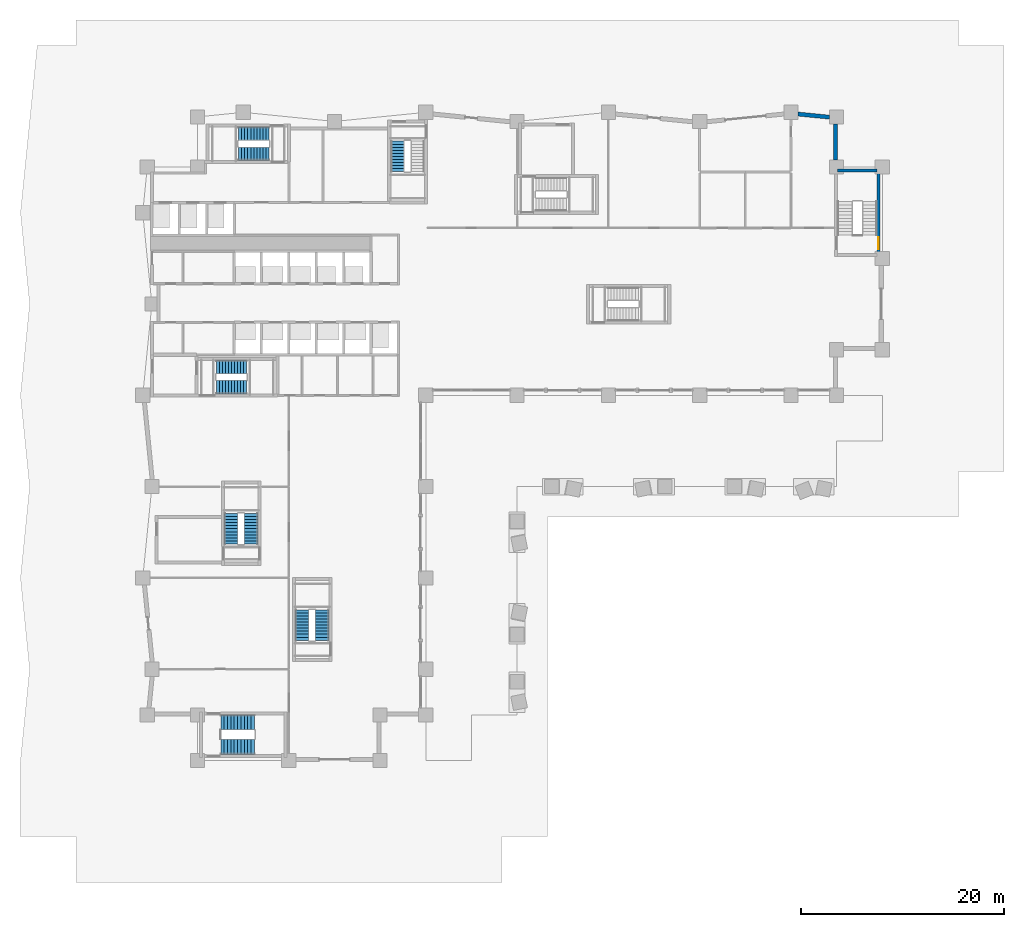
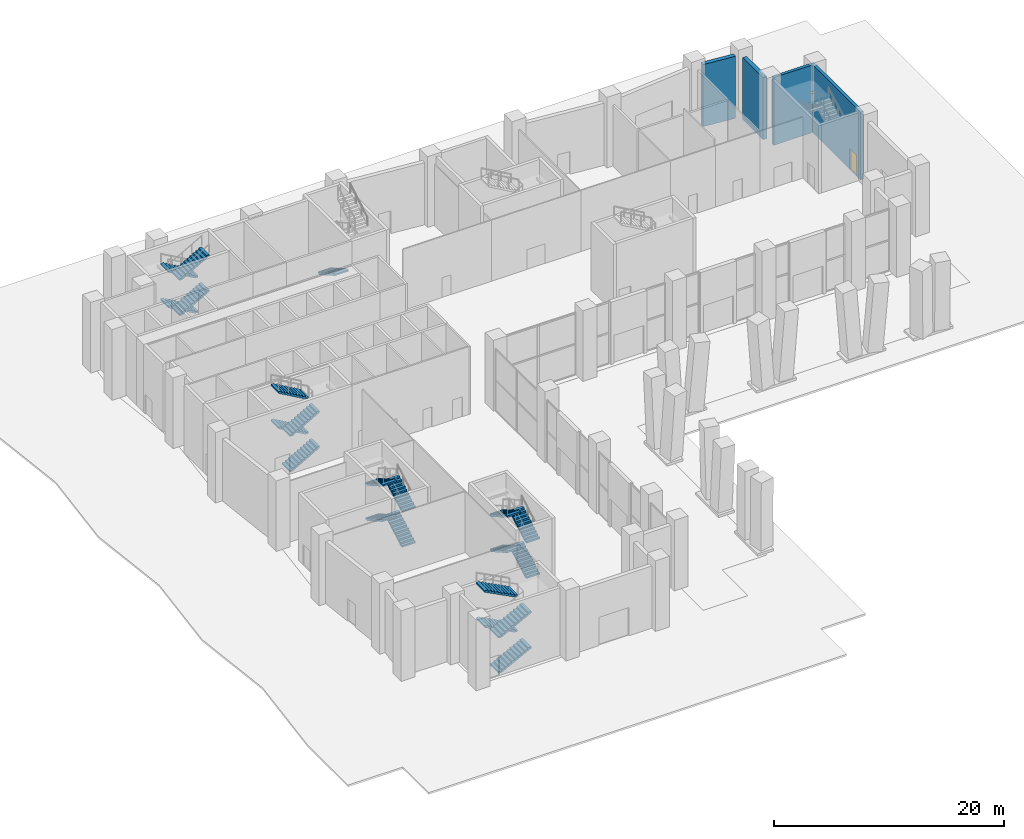
# One storey, part 11 of 16: 21 stair flights, 4 walls, 1 door, 1 opening, 6 elements without a shape of their own.
"""IFC4 building model written with IfcOpenShell, lengths in metres."""

from ifc_helpers import new_model, si_unit, direction, frame, frame_2d, origin, place, context, subcontext, project, spatial, polyline, rectangle, outline, extrude, material, layer, layer_set, type_object, element, fill, aggregate, save


model = new_model("IFC4")

# Units and contexts
model_context = context("Model", 3, precision=1e-05, world=origin(), true_north=direction((0.0, 1.0)))
body_context = subcontext(model_context, "Body", "Model", "MODEL_VIEW")
ifc_project = project(units=[si_unit("LENGTHUNIT", "METRE"), si_unit("AREAUNIT", "SQUARE_METRE"), si_unit("VOLUMEUNIT", "CUBIC_METRE"), si_unit("PLANEANGLEUNIT", "RADIAN"), si_unit("MASSUNIT", "GRAM", prefix="KILO")], contexts=[model_context])

# Site, building, storey
site_placement = place(None, origin())
site = spatial("IfcSite", under=ifc_project, at=site_placement, CompositionType="ELEMENT")
building_placement = place(site_placement, origin())
building = spatial("IfcBuilding", under=site, at=building_placement, Name="Brondeck Convention Tower", CompositionType="ELEMENT")
storey_placement = place(building_placement, origin())
storey = spatial("IfcBuildingStorey", under=building, at=storey_placement, Name="L00", CompositionType="ELEMENT", Elevation=0.0)

# Walls
ifc_material_1 = material(Name="Limestone", Category="masonry")
ifc_layer_1 = layer(ifc_material_1, 0.10009765625, Name="Limestone facing")
ifc_material_2 = material(Name="Mineral wool")
ifc_layer_2 = layer(ifc_material_2, 0.159912109375, Name="Insulation")
ifc_material_3 = material(Name="Concrete C35/45", Category="concrete")
ifc_layer_3 = layer(ifc_material_3, 0.139892578125, Name="Backing")
ifc_layer_set_1 = layer_set([ifc_layer_1, ifc_layer_2, ifc_layer_3], Name="External wall, limestone cladding")
wall_type_1 = type_object("IfcWallType", Name="External wall, limestone cladding", PredefinedType="SOLIDWALL", material=ifc_layer_set_1)
wall_1_placement = place(storey_placement, frame((67.39990234375, 62.75, 0.0), z_axis=(0.0, 0.0, 1.0), x_axis=(0.0, -1.0, 0.0)))
element("IfcWall", 1, at=wall_1_placement, inside=storey, type_object=wall_type_1, Name="ENV-EW-L00-BASE-NC-NEA-02", PredefinedType="SOLIDWALL", context=body_context, shape_type="SweptSolid", body=[
    extrude(rectangle(XDim=3.550048828125, YDim=0.39990234375, at=frame_2d((1.77490234375, 0.0))), origin(), (0.0, 0.0, 1.0), 6.60009765625),
])
wall_2_placement = place(storey_placement, frame((63.6865234375, 63.730712890625, 0.0), z_axis=(0.0, 0.0, 1.0), x_axis=(0.995041834057, -0.099457269599, 0.0)))
element("IfcWall", 2, at=wall_2_placement, inside=storey, type_object=wall_type_1, Name="ENV-EW-L00-BASE-A-N-14", PredefinedType="SOLIDWALL", context=body_context, shape_type="SweptSolid", body=[
    extrude(rectangle(XDim=3.122314453125, YDim=0.39990234375, at=frame_2d((1.56103515625, 0.0))), origin(), (0.0, 0.0, 1.0), 6.60009765625),
])
ifc_material_4 = material(Name="Concrete C80/95", Category="concrete")
ifc_layer_4 = layer(ifc_material_4, 0.300048828125)
ifc_layer_set_2 = layer_set([ifc_layer_4], Name="Stair enclosure wall 300 Concrete C80/95")
wall_type_2 = type_object("IfcWallType", Name="Stair enclosure wall 300 Concrete C80/95", PredefinedType="SHEAR", material=ifc_layer_set_2)
wall_3_placement = place(storey_placement, frame((67.60009765625, 58.14990234375, 0.0), z_axis=(0.0, 0.0, 1.0), x_axis=(1.0, 0.0, 0.0)))
element("IfcWall", 3, at=wall_3_placement, inside=storey, type_object=wall_type_2, Name="L00 core wall", PredefinedType="SHEAR", context=body_context, shape_type="SweptSolid", body=[
    extrude(rectangle(XDim=3.89990234375, YDim=0.300048828125, at=frame_2d((1.949951171875, 0.0))), origin(), (0.0, 0.0, 1.0), 7.199951171875),
])

# Wall, opening, door
wall_4_placement = place(storey_placement, frame((71.64990234375, 49.699951171875, 0.0), z_axis=(0.0, 0.0, 1.0), x_axis=(0.0, 1.0, 0.0)))
wall_4 = element("IfcWall", 4, at=wall_4_placement, inside=storey, type_object=wall_type_2, Name="L00 core wall", PredefinedType="SHEAR", context=body_context, shape_type="SweptSolid", body=[
    extrude(rectangle(XDim=8.60009765625, YDim=0.300048828125, at=frame_2d((4.300048828125, 0.0))), origin(), (0.0, 0.0, 1.0), 7.199951171875),
])
opening_placement = place(wall_4_placement, frame((0.699951171875, 0.0, 0.0)))
opening = element("IfcOpeningElement", 5, at=opening_placement, cuts=wall_4, Name="Opening C02-22", PredefinedType="OPENING", context=body_context, shape_type="SweptSolid", body=[
    extrude(rectangle(XDim=1.199951171875, YDim=2.199951171875, at=frame_2d((0.60009765625, 1.10009765625))), frame((0.0, 0.159912109375, 0.0), z_axis=(0.0, -1.0, 0.0), x_axis=(1.0, 0.0, 0.0)), (0.0, 0.0, 1.0), 0.320068359375),
])
ifc_material_5 = material(Name="Steel fire door", Category="steel")
door_type = type_object("IfcDoorType", Name="Exit door external 1200x2200 EI 90", OperationType="NOTDEFINED", PredefinedType="DOOR", material=ifc_material_5)
door_placement = place(opening_placement, origin())
door = element("IfcDoor", 6, at=door_placement, inside=storey, type_object=door_type, Name="L00 Exit door external PS-1", OperationType="SINGLE_SWING_LEFT", OverallHeight=2.199951171875, OverallWidth=1.199951171875, PredefinedType="DOOR", context=body_context, shape_type="SweptSolid", body=[
    extrude(rectangle(XDim=1.199951171875, YDim=2.199951171875, at=frame_2d((0.60009765625, 1.10009765625))), frame((0.0, 0.02490234375, 0.0), z_axis=(0.0, -1.0, 0.0), x_axis=(1.0, 0.0, 0.0)), (0.0, 0.0, 1.0), 0.050048828125),
])
fill(opening, door)

# Stair, stair flights
ifc_material_6 = material(Name="Precast concrete C50/60", Category="concrete")
stair_type_1 = type_object("IfcStairType", Name="Core stair 44 risers 170.45 mm riser 300 mm going 1350 wide", PredefinedType="HALF_TURN_STAIR", material=ifc_material_6)
stair_1_placement = place(storey_placement, origin())
stair_1 = element("IfcStair", 7, at=stair_1_placement, inside=storey, type_object=stair_type_1, Name="ST-1 L00 stair", PredefinedType="HALF_TURN_STAIR")
stair_flight_type_1 = type_object("IfcStairFlightType", Name="Core stair flight 44 risers 170.45 mm riser 300 mm going 1350 wide", PredefinedType="STRAIGHT", material=ifc_material_6)
stair_flight_1_placement = place(storey_placement, frame((6.35009765625, 36.824951171875, 0.0), z_axis=(0.0, 0.0, 1.0), x_axis=(1.0, 0.0, 0.0)))
stair_flight_1 = element("IfcStairFlight", 8, at=stair_flight_1_placement, type_object=stair_flight_type_1, Name="ST-1 flight 1", NumberOfRisers=11, NumberOfTreads=10, PredefinedType="STRAIGHT", RiserHeight=0.170454545, TreadLength=0.3, context=body_context, shape_type="SweptSolid", body=[
    extrude(outline(polyline([(0.0, 0.0), (0.0, 0.17041015625), (0.300048828125, 0.17041015625), (0.300048828125, 0.3408203125), (0.60009765625, 0.3408203125), (0.60009765625, 0.511474609375), (0.89990234375, 0.511474609375), (0.89990234375, 0.681884765625), (1.199951171875, 0.681884765625), (1.199951171875, 0.852294921875), (1.5, 0.852294921875), (1.5, 1.022705078125), (1.800048828125, 1.022705078125), (1.800048828125, 1.193115234375), (2.10009765625, 1.193115234375), (2.10009765625, 1.363525390625), (2.39990234375, 1.363525390625), (2.39990234375, 1.5341796875), (2.699951171875, 1.5341796875), (2.699951171875, 1.70458984375), (3.0, 1.70458984375), (3.0, 1.875), (3.0, 1.5322265625), (0.303466796875, 0.0), (0.0, 0.0)])), frame((0.0, 0.675048828125, 0.0), z_axis=(0.0, -1.0, 0.0), x_axis=(1.0, 0.0, 0.0)), (0.0, 0.0, 1.0), 1.35009765625),
])
stair_flight_2_placement = place(storey_placement, frame((9.35009765625, 38.77490234375, 1.875), z_axis=(0.0, 0.0, 1.0), x_axis=(-1.0, 0.0, 0.0)))
stair_flight_2 = element("IfcStairFlight", 9, at=stair_flight_2_placement, type_object=stair_flight_type_1, Name="ST-1 flight 2", NumberOfRisers=11, NumberOfTreads=10, PredefinedType="STRAIGHT", RiserHeight=0.170454545, TreadLength=0.3, context=body_context, shape_type="SweptSolid", body=[
    extrude(outline(polyline([(0.0, 0.0), (0.0, 0.17041015625), (0.300048828125, 0.17041015625), (0.300048828125, 0.3408203125), (0.60009765625, 0.3408203125), (0.60009765625, 0.511474609375), (0.89990234375, 0.511474609375), (0.89990234375, 0.681884765625), (1.199951171875, 0.681884765625), (1.199951171875, 0.852294921875), (1.5, 0.852294921875), (1.5, 1.022705078125), (1.800048828125, 1.022705078125), (1.800048828125, 1.193115234375), (2.10009765625, 1.193115234375), (2.10009765625, 1.363525390625), (2.39990234375, 1.363525390625), (2.39990234375, 1.5341796875), (2.699951171875, 1.5341796875), (2.699951171875, 1.70458984375), (3.0, 1.70458984375), (3.0, 1.875), (3.0, 1.5322265625), (0.303466796875, 0.0), (0.0, 0.0)])), frame((0.0, 0.675048828125, 0.0), z_axis=(0.0, -1.0, 0.0), x_axis=(1.0, 0.0, 0.0)), (0.0, 0.0, 1.0), 1.35009765625),
])
stair_flight_3_placement = place(storey_placement, frame((6.35009765625, 36.824951171875, 3.75), z_axis=(0.0, 0.0, 1.0), x_axis=(1.0, 0.0, 0.0)))
stair_flight_3 = element("IfcStairFlight", 10, at=stair_flight_3_placement, type_object=stair_flight_type_1, Name="ST-1 flight 3", NumberOfRisers=11, NumberOfTreads=10, PredefinedType="STRAIGHT", RiserHeight=0.170454545, TreadLength=0.3, context=body_context, shape_type="SweptSolid", body=[
    extrude(outline(polyline([(0.0, 0.0), (0.0, 0.17041015625), (0.300048828125, 0.17041015625), (0.300048828125, 0.3408203125), (0.60009765625, 0.3408203125), (0.60009765625, 0.511474609375), (0.89990234375, 0.511474609375), (0.89990234375, 0.681884765625), (1.199951171875, 0.681884765625), (1.199951171875, 0.852294921875), (1.5, 0.852294921875), (1.5, 1.022705078125), (1.800048828125, 1.022705078125), (1.800048828125, 1.193115234375), (2.10009765625, 1.193115234375), (2.10009765625, 1.363525390625), (2.39990234375, 1.363525390625), (2.39990234375, 1.5341796875), (2.699951171875, 1.5341796875), (2.699951171875, 1.70458984375), (3.0, 1.70458984375), (3.0, 1.875), (3.0, 1.5322265625), (0.303466796875, 0.0), (0.0, 0.0)])), frame((0.0, 0.675048828125, 0.0), z_axis=(0.0, -1.0, 0.0), x_axis=(1.0, 0.0, 0.0)), (0.0, 0.0, 1.0), 1.35009765625),
])
stair_flight_4_placement = place(storey_placement, frame((9.35009765625, 38.77490234375, 5.625), z_axis=(0.0, 0.0, 1.0), x_axis=(-1.0, 0.0, 0.0)))
stair_flight_4 = element("IfcStairFlight", 11, at=stair_flight_4_placement, type_object=stair_flight_type_1, Name="ST-1 flight 4", NumberOfRisers=11, NumberOfTreads=10, PredefinedType="STRAIGHT", RiserHeight=0.170454545, TreadLength=0.3, context=body_context, shape_type="SweptSolid", body=[
    extrude(outline(polyline([(0.0, 0.0), (0.0, 0.17041015625), (0.300048828125, 0.17041015625), (0.300048828125, 0.3408203125), (0.60009765625, 0.3408203125), (0.60009765625, 0.511474609375), (0.89990234375, 0.511474609375), (0.89990234375, 0.681884765625), (1.199951171875, 0.681884765625), (1.199951171875, 0.852294921875), (1.5, 0.852294921875), (1.5, 1.022705078125), (1.800048828125, 1.022705078125), (1.800048828125, 1.193115234375), (2.10009765625, 1.193115234375), (2.10009765625, 1.363525390625), (2.39990234375, 1.363525390625), (2.39990234375, 1.5341796875), (2.699951171875, 1.5341796875), (2.699951171875, 1.70458984375), (3.0, 1.70458984375), (3.0, 1.875), (3.0, 1.5322265625), (0.303466796875, 0.0), (0.0, 0.0)])), frame((0.0, 0.675048828125, 0.0), z_axis=(0.0, -1.0, 0.0), x_axis=(1.0, 0.0, 0.0)), (0.0, 0.0, 1.0), 1.35009765625),
])
aggregate(stair_1, [stair_flight_1, stair_flight_2, stair_flight_3, stair_flight_4])

# Stair, stair flight
stair_2_placement = place(storey_placement, origin())
stair_2 = element("IfcStair", 12, at=stair_2_placement, inside=storey, type_object=stair_type_1, Name="ST-2 L00 stair", PredefinedType="HALF_TURN_STAIR")
stair_flight_5_placement = place(storey_placement, frame((24.22509765625, 61.050048828125, 0.0), z_axis=(0.0, 0.0, 1.0), x_axis=(0.0, -1.0, 0.0)))
stair_flight_5 = element("IfcStairFlight", 13, at=stair_flight_5_placement, type_object=stair_flight_type_1, Name="ST-2 flight 1", NumberOfRisers=11, NumberOfTreads=10, PredefinedType="STRAIGHT", RiserHeight=0.170454545, TreadLength=0.3, context=body_context, shape_type="SweptSolid", body=[
    extrude(outline(polyline([(0.0, 0.0), (0.0, 0.17041015625), (0.300048828125, 0.17041015625), (0.300048828125, 0.3408203125), (0.60009765625, 0.3408203125), (0.60009765625, 0.511474609375), (0.89990234375, 0.511474609375), (0.89990234375, 0.681884765625), (1.199951171875, 0.681884765625), (1.199951171875, 0.852294921875), (1.5, 0.852294921875), (1.5, 1.022705078125), (1.800048828125, 1.022705078125), (1.800048828125, 1.193115234375), (2.10009765625, 1.193115234375), (2.10009765625, 1.363525390625), (2.39990234375, 1.363525390625), (2.39990234375, 1.5341796875), (2.699951171875, 1.5341796875), (2.699951171875, 1.70458984375), (3.0, 1.70458984375), (3.0, 1.875), (3.0, 1.5322265625), (0.303466796875, 0.0), (0.0, 0.0)])), frame((0.0, 0.675048828125, 0.0), z_axis=(0.0, -1.0, 0.0), x_axis=(1.0, 0.0, 0.0)), (0.0, 0.0, 1.0), 1.35009765625),
])
aggregate(stair_2, [stair_flight_5])

# Stair, stair flights
stair_3_placement = place(storey_placement, origin())
stair_3 = element("IfcStair", 14, at=stair_3_placement, inside=storey, type_object=stair_type_1, Name="ST-3 L00 stair", PredefinedType="HALF_TURN_STAIR")
stair_flight_6_placement = place(storey_placement, frame((11.550048828125, 61.77490234375, 0.0), z_axis=(0.0, 0.0, 1.0), x_axis=(-1.0, 0.0, 0.0)))
stair_flight_6 = element("IfcStairFlight", 15, at=stair_flight_6_placement, type_object=stair_flight_type_1, Name="ST-3 flight 1", NumberOfRisers=11, NumberOfTreads=10, PredefinedType="STRAIGHT", RiserHeight=0.170454545, TreadLength=0.3, context=body_context, shape_type="SweptSolid", body=[
    extrude(outline(polyline([(0.0, 0.0), (0.0, 0.17041015625), (0.300048828125, 0.17041015625), (0.300048828125, 0.3408203125), (0.60009765625, 0.3408203125), (0.60009765625, 0.511474609375), (0.89990234375, 0.511474609375), (0.89990234375, 0.681884765625), (1.199951171875, 0.681884765625), (1.199951171875, 0.852294921875), (1.5, 0.852294921875), (1.5, 1.022705078125), (1.800048828125, 1.022705078125), (1.800048828125, 1.193115234375), (2.10009765625, 1.193115234375), (2.10009765625, 1.363525390625), (2.39990234375, 1.363525390625), (2.39990234375, 1.5341796875), (2.699951171875, 1.5341796875), (2.699951171875, 1.70458984375), (3.0, 1.70458984375), (3.0, 1.875), (3.0, 1.5322265625), (0.303466796875, 0.0), (0.0, 0.0)])), frame((0.0, 0.675048828125, 0.0), z_axis=(0.0, -1.0, 0.0), x_axis=(1.0, 0.0, 0.0)), (0.0, 0.0, 1.0), 1.35009765625),
])
stair_flight_7_placement = place(storey_placement, frame((8.550048828125, 59.824951171875, 1.875), z_axis=(0.0, 0.0, 1.0), x_axis=(1.0, 0.0, 0.0)))
stair_flight_7 = element("IfcStairFlight", 16, at=stair_flight_7_placement, type_object=stair_flight_type_1, Name="ST-3 flight 2", NumberOfRisers=11, NumberOfTreads=10, PredefinedType="STRAIGHT", RiserHeight=0.170454545, TreadLength=0.3, context=body_context, shape_type="SweptSolid", body=[
    extrude(outline(polyline([(0.0, 0.0), (0.0, 0.17041015625), (0.300048828125, 0.17041015625), (0.300048828125, 0.3408203125), (0.60009765625, 0.3408203125), (0.60009765625, 0.511474609375), (0.89990234375, 0.511474609375), (0.89990234375, 0.681884765625), (1.199951171875, 0.681884765625), (1.199951171875, 0.852294921875), (1.5, 0.852294921875), (1.5, 1.022705078125), (1.800048828125, 1.022705078125), (1.800048828125, 1.193115234375), (2.10009765625, 1.193115234375), (2.10009765625, 1.363525390625), (2.39990234375, 1.363525390625), (2.39990234375, 1.5341796875), (2.699951171875, 1.5341796875), (2.699951171875, 1.70458984375), (3.0, 1.70458984375), (3.0, 1.875), (3.0, 1.5322265625), (0.303466796875, 0.0), (0.0, 0.0)])), frame((0.0, 0.675048828125, 0.0), z_axis=(0.0, -1.0, 0.0), x_axis=(1.0, 0.0, 0.0)), (0.0, 0.0, 1.0), 1.35009765625),
])
stair_flight_8_placement = place(storey_placement, frame((11.550048828125, 61.77490234375, 3.75), z_axis=(0.0, 0.0, 1.0), x_axis=(-1.0, 0.0, 0.0)))
stair_flight_8 = element("IfcStairFlight", 17, at=stair_flight_8_placement, type_object=stair_flight_type_1, Name="ST-3 flight 3", NumberOfRisers=11, NumberOfTreads=10, PredefinedType="STRAIGHT", RiserHeight=0.170454545, TreadLength=0.3, context=body_context, shape_type="SweptSolid", body=[
    extrude(outline(polyline([(0.0, 0.0), (0.0, 0.17041015625), (0.300048828125, 0.17041015625), (0.300048828125, 0.3408203125), (0.60009765625, 0.3408203125), (0.60009765625, 0.511474609375), (0.89990234375, 0.511474609375), (0.89990234375, 0.681884765625), (1.199951171875, 0.681884765625), (1.199951171875, 0.852294921875), (1.5, 0.852294921875), (1.5, 1.022705078125), (1.800048828125, 1.022705078125), (1.800048828125, 1.193115234375), (2.10009765625, 1.193115234375), (2.10009765625, 1.363525390625), (2.39990234375, 1.363525390625), (2.39990234375, 1.5341796875), (2.699951171875, 1.5341796875), (2.699951171875, 1.70458984375), (3.0, 1.70458984375), (3.0, 1.875), (3.0, 1.5322265625), (0.303466796875, 0.0), (0.0, 0.0)])), frame((0.0, 0.675048828125, 0.0), z_axis=(0.0, -1.0, 0.0), x_axis=(1.0, 0.0, 0.0)), (0.0, 0.0, 1.0), 1.35009765625),
])
stair_flight_9_placement = place(storey_placement, frame((8.550048828125, 59.824951171875, 5.625), z_axis=(0.0, 0.0, 1.0), x_axis=(1.0, 0.0, 0.0)))
stair_flight_9 = element("IfcStairFlight", 18, at=stair_flight_9_placement, type_object=stair_flight_type_1, Name="ST-3 flight 4", NumberOfRisers=11, NumberOfTreads=10, PredefinedType="STRAIGHT", RiserHeight=0.170454545, TreadLength=0.3, context=body_context, shape_type="SweptSolid", body=[
    extrude(outline(polyline([(0.0, 0.0), (0.0, 0.17041015625), (0.300048828125, 0.17041015625), (0.300048828125, 0.3408203125), (0.60009765625, 0.3408203125), (0.60009765625, 0.511474609375), (0.89990234375, 0.511474609375), (0.89990234375, 0.681884765625), (1.199951171875, 0.681884765625), (1.199951171875, 0.852294921875), (1.5, 0.852294921875), (1.5, 1.022705078125), (1.800048828125, 1.022705078125), (1.800048828125, 1.193115234375), (2.10009765625, 1.193115234375), (2.10009765625, 1.363525390625), (2.39990234375, 1.363525390625), (2.39990234375, 1.5341796875), (2.699951171875, 1.5341796875), (2.699951171875, 1.70458984375), (3.0, 1.70458984375), (3.0, 1.875), (3.0, 1.5322265625), (0.303466796875, 0.0), (0.0, 0.0)])), frame((0.0, 0.675048828125, 0.0), z_axis=(0.0, -1.0, 0.0), x_axis=(1.0, 0.0, 0.0)), (0.0, 0.0, 1.0), 1.35009765625),
])
aggregate(stair_3, [stair_flight_6, stair_flight_7, stair_flight_8, stair_flight_9])

stair_4_placement = place(storey_placement, origin())
stair_4 = element("IfcStair", 19, at=stair_4_placement, inside=storey, type_object=stair_type_1, Name="ST-BE L00 stair", PredefinedType="HALF_TURN_STAIR")
stair_flight_10_placement = place(storey_placement, frame((9.77490234375, 21.35009765625, 0.0), z_axis=(0.0, 0.0, 1.0), x_axis=(0.0, 1.0, 0.0)))
stair_flight_10 = element("IfcStairFlight", 20, at=stair_flight_10_placement, type_object=stair_flight_type_1, Name="ST-BE flight 1", NumberOfRisers=11, NumberOfTreads=10, PredefinedType="STRAIGHT", RiserHeight=0.170454545, TreadLength=0.3, context=body_context, shape_type="SweptSolid", body=[
    extrude(outline(polyline([(0.0, 0.0), (0.0, 0.17041015625), (0.300048828125, 0.17041015625), (0.300048828125, 0.3408203125), (0.60009765625, 0.3408203125), (0.60009765625, 0.511474609375), (0.89990234375, 0.511474609375), (0.89990234375, 0.681884765625), (1.199951171875, 0.681884765625), (1.199951171875, 0.852294921875), (1.5, 0.852294921875), (1.5, 1.022705078125), (1.800048828125, 1.022705078125), (1.800048828125, 1.193115234375), (2.10009765625, 1.193115234375), (2.10009765625, 1.363525390625), (2.39990234375, 1.363525390625), (2.39990234375, 1.5341796875), (2.699951171875, 1.5341796875), (2.699951171875, 1.70458984375), (3.0, 1.70458984375), (3.0, 1.875), (3.0, 1.5322265625), (0.303466796875, 0.0), (0.0, 0.0)])), frame((0.0, 0.675048828125, 0.0), z_axis=(0.0, -1.0, 0.0), x_axis=(1.0, 0.0, 0.0)), (0.0, 0.0, 1.0), 1.35009765625),
])
stair_flight_11_placement = place(storey_placement, frame((7.824951171875, 24.35009765625, 1.875), z_axis=(0.0, 0.0, 1.0), x_axis=(0.0, -1.0, 0.0)))
stair_flight_11 = element("IfcStairFlight", 21, at=stair_flight_11_placement, type_object=stair_flight_type_1, Name="ST-BE flight 2", NumberOfRisers=11, NumberOfTreads=10, PredefinedType="STRAIGHT", RiserHeight=0.170454545, TreadLength=0.3, context=body_context, shape_type="SweptSolid", body=[
    extrude(outline(polyline([(0.0, 0.0), (0.0, 0.17041015625), (0.300048828125, 0.17041015625), (0.300048828125, 0.3408203125), (0.60009765625, 0.3408203125), (0.60009765625, 0.511474609375), (0.89990234375, 0.511474609375), (0.89990234375, 0.681884765625), (1.199951171875, 0.681884765625), (1.199951171875, 0.852294921875), (1.5, 0.852294921875), (1.5, 1.022705078125), (1.800048828125, 1.022705078125), (1.800048828125, 1.193115234375), (2.10009765625, 1.193115234375), (2.10009765625, 1.363525390625), (2.39990234375, 1.363525390625), (2.39990234375, 1.5341796875), (2.699951171875, 1.5341796875), (2.699951171875, 1.70458984375), (3.0, 1.70458984375), (3.0, 1.875), (3.0, 1.5322265625), (0.303466796875, 0.0), (0.0, 0.0)])), frame((0.0, 0.675048828125, 0.0), z_axis=(0.0, -1.0, 0.0), x_axis=(1.0, 0.0, 0.0)), (0.0, 0.0, 1.0), 1.35009765625),
])
stair_flight_12_placement = place(storey_placement, frame((9.77490234375, 21.35009765625, 3.75), z_axis=(0.0, 0.0, 1.0), x_axis=(0.0, 1.0, 0.0)))
stair_flight_12 = element("IfcStairFlight", 22, at=stair_flight_12_placement, type_object=stair_flight_type_1, Name="ST-BE flight 3", NumberOfRisers=11, NumberOfTreads=10, PredefinedType="STRAIGHT", RiserHeight=0.170454545, TreadLength=0.3, context=body_context, shape_type="SweptSolid", body=[
    extrude(outline(polyline([(0.0, 0.0), (0.0, 0.17041015625), (0.300048828125, 0.17041015625), (0.300048828125, 0.3408203125), (0.60009765625, 0.3408203125), (0.60009765625, 0.511474609375), (0.89990234375, 0.511474609375), (0.89990234375, 0.681884765625), (1.199951171875, 0.681884765625), (1.199951171875, 0.852294921875), (1.5, 0.852294921875), (1.5, 1.022705078125), (1.800048828125, 1.022705078125), (1.800048828125, 1.193115234375), (2.10009765625, 1.193115234375), (2.10009765625, 1.363525390625), (2.39990234375, 1.363525390625), (2.39990234375, 1.5341796875), (2.699951171875, 1.5341796875), (2.699951171875, 1.70458984375), (3.0, 1.70458984375), (3.0, 1.875), (3.0, 1.5322265625), (0.303466796875, 0.0), (0.0, 0.0)])), frame((0.0, 0.675048828125, 0.0), z_axis=(0.0, -1.0, 0.0), x_axis=(1.0, 0.0, 0.0)), (0.0, 0.0, 1.0), 1.35009765625),
])
stair_flight_13_placement = place(storey_placement, frame((7.824951171875, 24.35009765625, 5.625), z_axis=(0.0, 0.0, 1.0), x_axis=(0.0, -1.0, 0.0)))
stair_flight_13 = element("IfcStairFlight", 23, at=stair_flight_13_placement, type_object=stair_flight_type_1, Name="ST-BE flight 4", NumberOfRisers=11, NumberOfTreads=10, PredefinedType="STRAIGHT", RiserHeight=0.170454545, TreadLength=0.3, context=body_context, shape_type="SweptSolid", body=[
    extrude(outline(polyline([(0.0, 0.0), (0.0, 0.17041015625), (0.300048828125, 0.17041015625), (0.300048828125, 0.3408203125), (0.60009765625, 0.3408203125), (0.60009765625, 0.511474609375), (0.89990234375, 0.511474609375), (0.89990234375, 0.681884765625), (1.199951171875, 0.681884765625), (1.199951171875, 0.852294921875), (1.5, 0.852294921875), (1.5, 1.022705078125), (1.800048828125, 1.022705078125), (1.800048828125, 1.193115234375), (2.10009765625, 1.193115234375), (2.10009765625, 1.363525390625), (2.39990234375, 1.363525390625), (2.39990234375, 1.5341796875), (2.699951171875, 1.5341796875), (2.699951171875, 1.70458984375), (3.0, 1.70458984375), (3.0, 1.875), (3.0, 1.5322265625), (0.303466796875, 0.0), (0.0, 0.0)])), frame((0.0, 0.675048828125, 0.0), z_axis=(0.0, -1.0, 0.0), x_axis=(1.0, 0.0, 0.0)), (0.0, 0.0, 1.0), 1.35009765625),
])
aggregate(stair_4, [stair_flight_10, stair_flight_11, stair_flight_12, stair_flight_13])

stair_5_placement = place(storey_placement, origin())
stair_5 = element("IfcStair", 24, at=stair_5_placement, inside=storey, type_object=stair_type_1, Name="ST-BF L00 stair", PredefinedType="HALF_TURN_STAIR")
stair_flight_14_placement = place(storey_placement, frame((16.77490234375, 11.85009765625, 0.0), z_axis=(0.0, 0.0, 1.0), x_axis=(0.0, 1.0, 0.0)))
stair_flight_14 = element("IfcStairFlight", 25, at=stair_flight_14_placement, type_object=stair_flight_type_1, Name="ST-BF flight 1", NumberOfRisers=11, NumberOfTreads=10, PredefinedType="STRAIGHT", RiserHeight=0.170454545, TreadLength=0.3, context=body_context, shape_type="SweptSolid", body=[
    extrude(outline(polyline([(0.0, 0.0), (0.0, 0.17041015625), (0.300048828125, 0.17041015625), (0.300048828125, 0.3408203125), (0.60009765625, 0.3408203125), (0.60009765625, 0.511474609375), (0.89990234375, 0.511474609375), (0.89990234375, 0.681884765625), (1.199951171875, 0.681884765625), (1.199951171875, 0.852294921875), (1.5, 0.852294921875), (1.5, 1.022705078125), (1.800048828125, 1.022705078125), (1.800048828125, 1.193115234375), (2.10009765625, 1.193115234375), (2.10009765625, 1.363525390625), (2.39990234375, 1.363525390625), (2.39990234375, 1.5341796875), (2.699951171875, 1.5341796875), (2.699951171875, 1.70458984375), (3.0, 1.70458984375), (3.0, 1.875), (3.0, 1.5322265625), (0.303466796875, 0.0), (0.0, 0.0)])), frame((0.0, 0.675048828125, 0.0), z_axis=(0.0, -1.0, 0.0), x_axis=(1.0, 0.0, 0.0)), (0.0, 0.0, 1.0), 1.35009765625),
])
stair_flight_15_placement = place(storey_placement, frame((14.824951171875, 14.85009765625, 1.875), z_axis=(0.0, 0.0, 1.0), x_axis=(0.0, -1.0, 0.0)))
stair_flight_15 = element("IfcStairFlight", 26, at=stair_flight_15_placement, type_object=stair_flight_type_1, Name="ST-BF flight 2", NumberOfRisers=11, NumberOfTreads=10, PredefinedType="STRAIGHT", RiserHeight=0.170454545, TreadLength=0.3, context=body_context, shape_type="SweptSolid", body=[
    extrude(outline(polyline([(0.0, 0.0), (0.0, 0.17041015625), (0.300048828125, 0.17041015625), (0.300048828125, 0.3408203125), (0.60009765625, 0.3408203125), (0.60009765625, 0.511474609375), (0.89990234375, 0.511474609375), (0.89990234375, 0.681884765625), (1.199951171875, 0.681884765625), (1.199951171875, 0.852294921875), (1.5, 0.852294921875), (1.5, 1.022705078125), (1.800048828125, 1.022705078125), (1.800048828125, 1.193115234375), (2.10009765625, 1.193115234375), (2.10009765625, 1.363525390625), (2.39990234375, 1.363525390625), (2.39990234375, 1.5341796875), (2.699951171875, 1.5341796875), (2.699951171875, 1.70458984375), (3.0, 1.70458984375), (3.0, 1.875), (3.0, 1.5322265625), (0.303466796875, 0.0), (0.0, 0.0)])), frame((0.0, 0.675048828125, 0.0), z_axis=(0.0, -1.0, 0.0), x_axis=(1.0, 0.0, 0.0)), (0.0, 0.0, 1.0), 1.35009765625),
])
stair_flight_16_placement = place(storey_placement, frame((16.77490234375, 11.85009765625, 3.75), z_axis=(0.0, 0.0, 1.0), x_axis=(0.0, 1.0, 0.0)))
stair_flight_16 = element("IfcStairFlight", 27, at=stair_flight_16_placement, type_object=stair_flight_type_1, Name="ST-BF flight 3", NumberOfRisers=11, NumberOfTreads=10, PredefinedType="STRAIGHT", RiserHeight=0.170454545, TreadLength=0.3, context=body_context, shape_type="SweptSolid", body=[
    extrude(outline(polyline([(0.0, 0.0), (0.0, 0.17041015625), (0.300048828125, 0.17041015625), (0.300048828125, 0.3408203125), (0.60009765625, 0.3408203125), (0.60009765625, 0.511474609375), (0.89990234375, 0.511474609375), (0.89990234375, 0.681884765625), (1.199951171875, 0.681884765625), (1.199951171875, 0.852294921875), (1.5, 0.852294921875), (1.5, 1.022705078125), (1.800048828125, 1.022705078125), (1.800048828125, 1.193115234375), (2.10009765625, 1.193115234375), (2.10009765625, 1.363525390625), (2.39990234375, 1.363525390625), (2.39990234375, 1.5341796875), (2.699951171875, 1.5341796875), (2.699951171875, 1.70458984375), (3.0, 1.70458984375), (3.0, 1.875), (3.0, 1.5322265625), (0.303466796875, 0.0), (0.0, 0.0)])), frame((0.0, 0.675048828125, 0.0), z_axis=(0.0, -1.0, 0.0), x_axis=(1.0, 0.0, 0.0)), (0.0, 0.0, 1.0), 1.35009765625),
])
stair_flight_17_placement = place(storey_placement, frame((14.824951171875, 14.85009765625, 5.625), z_axis=(0.0, 0.0, 1.0), x_axis=(0.0, -1.0, 0.0)))
stair_flight_17 = element("IfcStairFlight", 28, at=stair_flight_17_placement, type_object=stair_flight_type_1, Name="ST-BF flight 4", NumberOfRisers=11, NumberOfTreads=10, PredefinedType="STRAIGHT", RiserHeight=0.170454545, TreadLength=0.3, context=body_context, shape_type="SweptSolid", body=[
    extrude(outline(polyline([(0.0, 0.0), (0.0, 0.17041015625), (0.300048828125, 0.17041015625), (0.300048828125, 0.3408203125), (0.60009765625, 0.3408203125), (0.60009765625, 0.511474609375), (0.89990234375, 0.511474609375), (0.89990234375, 0.681884765625), (1.199951171875, 0.681884765625), (1.199951171875, 0.852294921875), (1.5, 0.852294921875), (1.5, 1.022705078125), (1.800048828125, 1.022705078125), (1.800048828125, 1.193115234375), (2.10009765625, 1.193115234375), (2.10009765625, 1.363525390625), (2.39990234375, 1.363525390625), (2.39990234375, 1.5341796875), (2.699951171875, 1.5341796875), (2.699951171875, 1.70458984375), (3.0, 1.70458984375), (3.0, 1.875), (3.0, 1.5322265625), (0.303466796875, 0.0), (0.0, 0.0)])), frame((0.0, 0.675048828125, 0.0), z_axis=(0.0, -1.0, 0.0), x_axis=(1.0, 0.0, 0.0)), (0.0, 0.0, 1.0), 1.35009765625),
])
aggregate(stair_5, [stair_flight_14, stair_flight_15, stair_flight_16, stair_flight_17])

stair_type_2 = type_object("IfcStairType", Name="Core stair 44 risers 170.45 mm riser 330 mm going 1500 wide", PredefinedType="HALF_TURN_STAIR", material=ifc_material_6)
stair_6_placement = place(storey_placement, origin())
stair_6 = element("IfcStair", 29, at=stair_6_placement, inside=storey, type_object=stair_type_2, Name="PS-2 L00 stair", PredefinedType="HALF_TURN_STAIR")
stair_flight_type_2 = type_object("IfcStairFlightType", Name="Core stair flight 44 risers 170.45 mm riser 330 mm going 1500 wide", PredefinedType="STRAIGHT", material=ifc_material_6)
stair_flight_18_placement = place(storey_placement, frame((6.800048828125, 1.35009765625, 0.0), z_axis=(0.0, 0.0, 1.0), x_axis=(1.0, 0.0, 0.0)))
stair_flight_18 = element("IfcStairFlight", 30, at=stair_flight_18_placement, type_object=stair_flight_type_2, Name="PS-2 flight 1", NumberOfRisers=11, NumberOfTreads=10, PredefinedType="STRAIGHT", RiserHeight=0.170454545, TreadLength=0.33, context=body_context, shape_type="SweptSolid", body=[
    extrude(outline(polyline([(0.0, 0.0), (0.0, 0.17041015625), (0.330078125, 0.17041015625), (0.330078125, 0.3408203125), (0.659912109375, 0.3408203125), (0.659912109375, 0.511474609375), (0.989990234375, 0.511474609375), (0.989990234375, 0.681884765625), (1.320068359375, 0.681884765625), (1.320068359375, 0.852294921875), (1.64990234375, 0.852294921875), (1.64990234375, 1.022705078125), (1.97998046875, 1.022705078125), (1.97998046875, 1.193115234375), (2.31005859375, 1.193115234375), (2.31005859375, 1.363525390625), (2.639892578125, 1.363525390625), (2.639892578125, 1.5341796875), (2.969970703125, 1.5341796875), (2.969970703125, 1.70458984375), (3.300048828125, 1.70458984375), (3.300048828125, 1.875), (3.300048828125, 1.535888671875), (0.32666015625, 0.0), (0.0, 0.0)])), frame((0.0, 0.75, 0.0), z_axis=(0.0, -1.0, 0.0), x_axis=(1.0, 0.0, 0.0)), (0.0, 0.0, 1.0), 1.5),
])
stair_flight_19_placement = place(storey_placement, frame((10.10009765625, 3.75, 1.875), z_axis=(0.0, 0.0, 1.0), x_axis=(-1.0, 0.0, 0.0)))
stair_flight_19 = element("IfcStairFlight", 31, at=stair_flight_19_placement, type_object=stair_flight_type_2, Name="PS-2 flight 2", NumberOfRisers=11, NumberOfTreads=10, PredefinedType="STRAIGHT", RiserHeight=0.170454545, TreadLength=0.33, context=body_context, shape_type="SweptSolid", body=[
    extrude(outline(polyline([(0.0, 0.0), (0.0, 0.17041015625), (0.330078125, 0.17041015625), (0.330078125, 0.3408203125), (0.659912109375, 0.3408203125), (0.659912109375, 0.511474609375), (0.989990234375, 0.511474609375), (0.989990234375, 0.681884765625), (1.320068359375, 0.681884765625), (1.320068359375, 0.852294921875), (1.64990234375, 0.852294921875), (1.64990234375, 1.022705078125), (1.97998046875, 1.022705078125), (1.97998046875, 1.193115234375), (2.31005859375, 1.193115234375), (2.31005859375, 1.363525390625), (2.639892578125, 1.363525390625), (2.639892578125, 1.5341796875), (2.969970703125, 1.5341796875), (2.969970703125, 1.70458984375), (3.300048828125, 1.70458984375), (3.300048828125, 1.875), (3.300048828125, 1.535888671875), (0.32666015625, 0.0), (0.0, 0.0)])), frame((0.0, 0.75, 0.0), z_axis=(0.0, -1.0, 0.0), x_axis=(1.0, 0.0, 0.0)), (0.0, 0.0, 1.0), 1.5),
])
stair_flight_20_placement = place(storey_placement, frame((6.800048828125, 1.35009765625, 3.75), z_axis=(0.0, 0.0, 1.0), x_axis=(1.0, 0.0, 0.0)))
stair_flight_20 = element("IfcStairFlight", 32, at=stair_flight_20_placement, type_object=stair_flight_type_2, Name="PS-2 flight 3", NumberOfRisers=11, NumberOfTreads=10, PredefinedType="STRAIGHT", RiserHeight=0.170454545, TreadLength=0.33, context=body_context, shape_type="SweptSolid", body=[
    extrude(outline(polyline([(0.0, 0.0), (0.0, 0.17041015625), (0.330078125, 0.17041015625), (0.330078125, 0.3408203125), (0.659912109375, 0.3408203125), (0.659912109375, 0.511474609375), (0.989990234375, 0.511474609375), (0.989990234375, 0.681884765625), (1.320068359375, 0.681884765625), (1.320068359375, 0.852294921875), (1.64990234375, 0.852294921875), (1.64990234375, 1.022705078125), (1.97998046875, 1.022705078125), (1.97998046875, 1.193115234375), (2.31005859375, 1.193115234375), (2.31005859375, 1.363525390625), (2.639892578125, 1.363525390625), (2.639892578125, 1.5341796875), (2.969970703125, 1.5341796875), (2.969970703125, 1.70458984375), (3.300048828125, 1.70458984375), (3.300048828125, 1.875), (3.300048828125, 1.535888671875), (0.32666015625, 0.0), (0.0, 0.0)])), frame((0.0, 0.75, 0.0), z_axis=(0.0, -1.0, 0.0), x_axis=(1.0, 0.0, 0.0)), (0.0, 0.0, 1.0), 1.5),
])
stair_flight_21_placement = place(storey_placement, frame((10.10009765625, 3.75, 5.625), z_axis=(0.0, 0.0, 1.0), x_axis=(-1.0, 0.0, 0.0)))
stair_flight_21 = element("IfcStairFlight", 33, at=stair_flight_21_placement, type_object=stair_flight_type_2, Name="PS-2 flight 4", NumberOfRisers=11, NumberOfTreads=10, PredefinedType="STRAIGHT", RiserHeight=0.170454545, TreadLength=0.33, context=body_context, shape_type="SweptSolid", body=[
    extrude(outline(polyline([(0.0, 0.0), (0.0, 0.17041015625), (0.330078125, 0.17041015625), (0.330078125, 0.3408203125), (0.659912109375, 0.3408203125), (0.659912109375, 0.511474609375), (0.989990234375, 0.511474609375), (0.989990234375, 0.681884765625), (1.320068359375, 0.681884765625), (1.320068359375, 0.852294921875), (1.64990234375, 0.852294921875), (1.64990234375, 1.022705078125), (1.97998046875, 1.022705078125), (1.97998046875, 1.193115234375), (2.31005859375, 1.193115234375), (2.31005859375, 1.363525390625), (2.639892578125, 1.363525390625), (2.639892578125, 1.5341796875), (2.969970703125, 1.5341796875), (2.969970703125, 1.70458984375), (3.300048828125, 1.70458984375), (3.300048828125, 1.875), (3.300048828125, 1.535888671875), (0.32666015625, 0.0), (0.0, 0.0)])), frame((0.0, 0.75, 0.0), z_axis=(0.0, -1.0, 0.0), x_axis=(1.0, 0.0, 0.0)), (0.0, 0.0, 1.0), 1.5),
])
aggregate(stair_6, [stair_flight_18, stair_flight_19, stair_flight_20, stair_flight_21])

save(model, "model.ifc")
